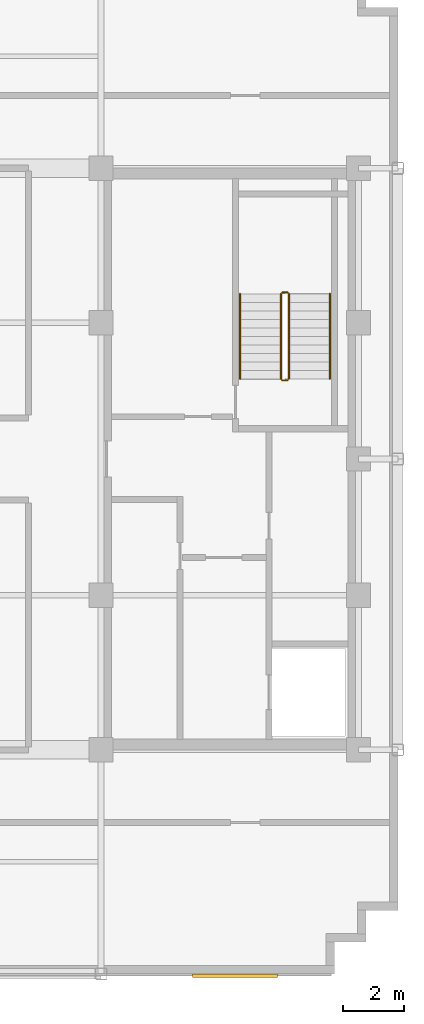
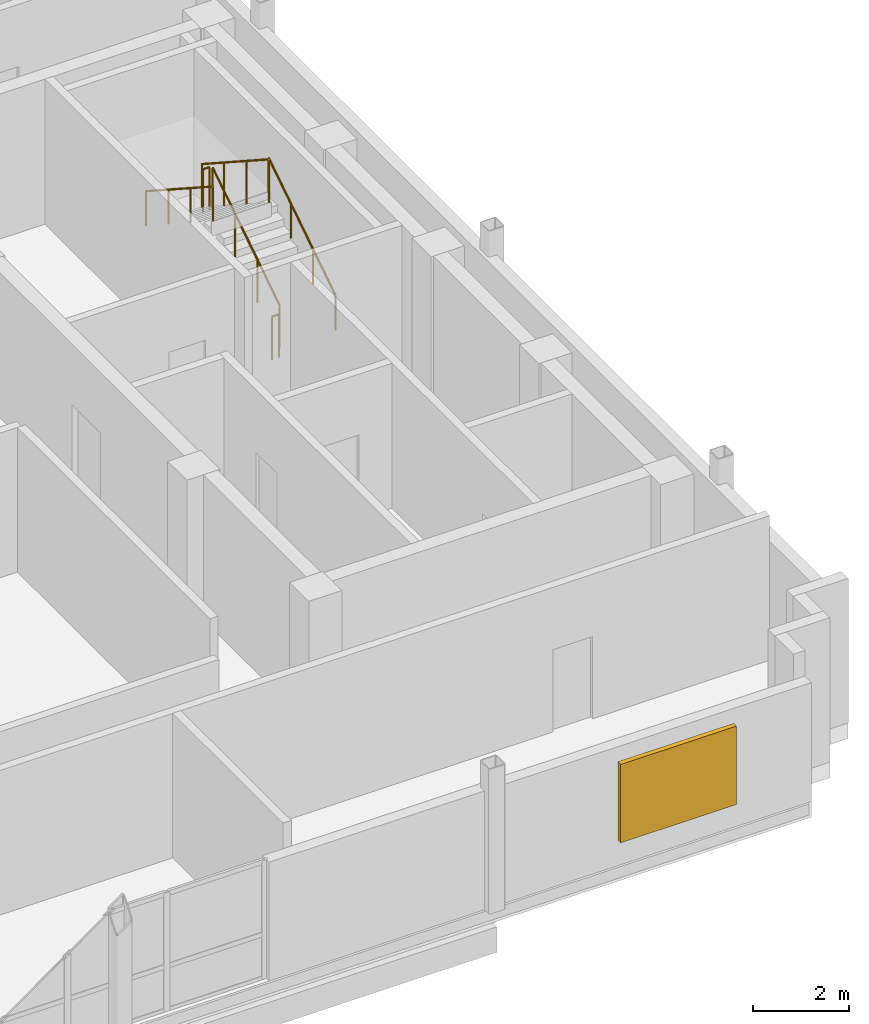
# One storey, part 8 of 9: 6 railings, 1 shading device.
"""IFC4 building model written with IfcOpenShell, lengths in metres."""

from ifc_helpers import new_model, si_unit, direction, frame, origin, origin_2d, place, context, subcontext, project, spatial, rectangle, circle, extrude, source, transform, mapped, material, type_object, type_shapes, element, save


model = new_model("IFC4")

# Units and contexts
model_context = context("Model", 3, precision=1e-05, world=origin(), true_north=direction((0.0, 1.0)))
body_context = subcontext(model_context, "Body", "Model", "MODEL_VIEW")
ifc_project = project(units=[si_unit("LENGTHUNIT", "METRE"), si_unit("AREAUNIT", "SQUARE_METRE"), si_unit("VOLUMEUNIT", "CUBIC_METRE"), si_unit("PLANEANGLEUNIT", "RADIAN"), si_unit("MASSUNIT", "GRAM", prefix="KILO")], contexts=[model_context])

# Site, building, storey
site_placement = place(None, origin())
site = spatial("IfcSite", under=ifc_project, at=site_placement, CompositionType="ELEMENT")
building_placement = place(site_placement, origin())
building = spatial("IfcBuilding", under=site, at=building_placement, Name="Nuvemarco Arch Tower", CompositionType="ELEMENT")
storey_placement = place(building_placement, frame((0.0, 0.0, 287.14990234375)))
storey = spatial("IfcBuildingStorey", under=building, at=storey_placement, Name="L76", CompositionType="ELEMENT", Elevation=287.14990234375)

# Railings
ifc_material_1 = material(Name="Brushed stainless steel handrail", Category="steel")
railing_type_1 = type_object("IfcRailingType", Name="RL-HANDRAIL-900", PredefinedType="HANDRAIL", material=ifc_material_1)
railing_1_placement = place(storey_placement, frame((16.550048828125, 2.64990234375, 0.181884765625)))
element("IfcRailing", 1, at=railing_1_placement, inside=storey, type_object=railing_type_1, Name="L76 ST-2 stair handrail 1", PredefinedType="HANDRAIL", context=body_context, shape_type="SweptSolid", body=[
    extrude(circle(Radius=0.02392578125, at=origin_2d()), frame((0.0, 0.0, 0.8759765625), z_axis=(0.0, 0.838705829183, 0.544584733623), x_axis=(-1.0, 0.0, 0.0)), (0.0, 0.0, 1.0), 3.338623046875),
    extrude(circle(Radius=0.02099609375, at=origin_2d()), origin(), (0.0, 0.0, 1.0), 0.851806640625),
    extrude(circle(Radius=0.02099609375, at=origin_2d()), frame((0.0, 0.933349609375, 0.60595703125)), (0.0, 0.0, 1.0), 0.851806640625),
    extrude(circle(Radius=0.02099609375, at=origin_2d()), frame((0.0, 1.86669921875, 1.212158203125)), (0.0, 0.0, 1.0), 0.851806640625),
    extrude(circle(Radius=0.02099609375, at=origin_2d()), frame((0.0, 2.800048828125, 1.818115234375)), (0.0, 0.0, 1.0), 0.851806640625),
])
railing_2_placement = place(storey_placement, frame((13.590087890625, 5.449951171875, 2.181884765625)))
element("IfcRailing", 2, at=railing_2_placement, inside=storey, type_object=railing_type_1, Name="L76 ST-2 stair handrail 2", PredefinedType="HANDRAIL", context=body_context, shape_type="SweptSolid", body=[
    extrude(circle(Radius=0.02392578125, at=origin_2d()), frame((0.0, 0.0, 0.8759765625), z_axis=(0.0, -0.838705829183, 0.544584733623), x_axis=(1.0, 0.0, 0.0)), (0.0, 0.0, 1.0), 3.338623046875),
    extrude(circle(Radius=0.02099609375, at=origin_2d()), origin(), (0.0, 0.0, 1.0), 0.851806640625),
    extrude(circle(Radius=0.02099609375, at=origin_2d()), frame((0.0, -0.933349609375, 0.60595703125)), (0.0, 0.0, 1.0), 0.851806640625),
    extrude(circle(Radius=0.02099609375, at=origin_2d()), frame((0.0, -1.86669921875, 1.212158203125)), (0.0, 0.0, 1.0), 0.851806640625),
    extrude(circle(Radius=0.02099609375, at=origin_2d()), frame((0.0, -2.800048828125, 1.818115234375)), (0.0, 0.0, 1.0), 0.851806640625),
])
ifc_material_2 = material(Name="Painted balustrade steel S355", Category="steel")
railing_type_2 = type_object("IfcRailingType", Name="RL-STAIR-GUARD", PredefinedType="GUARDRAIL", material=ifc_material_2)
railing_3_placement = place(storey_placement, frame((15.199951171875, 2.64990234375, 0.181884765625)))
element("IfcRailing", 3, at=railing_3_placement, inside=storey, type_object=railing_type_2, Name="L76 ST-2 stair guard 1", PredefinedType="GUARDRAIL", context=body_context, shape_type="SweptSolid", body=[
    extrude(circle(Radius=0.02392578125, at=origin_2d()), frame((0.0, 0.0, 1.09619140625), z_axis=(0.0, 0.838705829183, 0.544584733623), x_axis=(-1.0, 0.0, 0.0)), (0.0, 0.0, 1.0), 3.338623046875),
    extrude(circle(Radius=0.02099609375, at=origin_2d()), origin(), (0.0, 0.0, 1.0), 1.072021484375),
    extrude(circle(Radius=0.02099609375, at=origin_2d()), frame((0.0, 0.933349609375, 0.60595703125)), (0.0, 0.0, 1.0), 1.072021484375),
    extrude(circle(Radius=0.02099609375, at=origin_2d()), frame((0.0, 1.86669921875, 1.212158203125)), (0.0, 0.0, 1.0), 1.072021484375),
    extrude(circle(Radius=0.02099609375, at=origin_2d()), frame((0.0, 2.800048828125, 1.818115234375)), (0.0, 0.0, 1.0), 1.072021484375),
])
railing_4_placement = place(storey_placement, frame((15.14990234375, 5.5, 2.0)))
element("IfcRailing", 4, at=railing_4_placement, inside=storey, type_object=railing_type_2, Name="L76 ST-2 stair guard 2", PredefinedType="GUARDRAIL", context=body_context, shape_type="SweptSolid", body=[
    extrude(circle(Radius=0.02392578125, at=origin_2d()), frame((0.0, 0.0, 1.09619140625), z_axis=(-1.0, 0.0, 0.0), x_axis=(0.0, -1.0, 0.0)), (0.0, 0.0, 1.0), 0.159912109375),
    extrude(circle(Radius=0.02099609375, at=origin_2d()), origin(), (0.0, 0.0, 1.0), 1.072021484375),
    extrude(circle(Radius=0.02099609375, at=origin_2d()), frame((-0.159912109375, 0.0, 0.0)), (0.0, 0.0, 1.0), 1.072021484375),
])
railing_5_placement = place(storey_placement, frame((14.93994140625, 5.449951171875, 2.181884765625)))
element("IfcRailing", 5, at=railing_5_placement, inside=storey, type_object=railing_type_2, Name="L76 ST-2 stair guard 3", PredefinedType="GUARDRAIL", context=body_context, shape_type="SweptSolid", body=[
    extrude(circle(Radius=0.02392578125, at=origin_2d()), frame((0.0, 0.0, 1.09619140625), z_axis=(0.0, -0.838705829183, 0.544584733623), x_axis=(1.0, 0.0, 0.0)), (0.0, 0.0, 1.0), 3.338623046875),
    extrude(circle(Radius=0.02099609375, at=origin_2d()), origin(), (0.0, 0.0, 1.0), 1.072021484375),
    extrude(circle(Radius=0.02099609375, at=origin_2d()), frame((0.0, -0.933349609375, 0.60595703125)), (0.0, 0.0, 1.0), 1.072021484375),
    extrude(circle(Radius=0.02099609375, at=origin_2d()), frame((0.0, -1.86669921875, 1.212158203125)), (0.0, 0.0, 1.0), 1.072021484375),
    extrude(circle(Radius=0.02099609375, at=origin_2d()), frame((0.0, -2.800048828125, 1.818115234375)), (0.0, 0.0, 1.0), 1.072021484375),
])
railing_6_placement = place(storey_placement, frame((15.14990234375, 2.60009765625, 0.0)))
element("IfcRailing", 6, at=railing_6_placement, inside=storey, type_object=railing_type_2, Name="L76 ST-2 stair guard 4", PredefinedType="GUARDRAIL", context=body_context, shape_type="SweptSolid", body=[
    extrude(circle(Radius=0.02392578125, at=origin_2d()), frame((0.0, 0.0, 1.09619140625), z_axis=(-1.0, 0.0, 0.0), x_axis=(0.0, -1.0, 0.0)), (0.0, 0.0, 1.0), 0.159912109375),
    extrude(circle(Radius=0.02099609375, at=origin_2d()), origin(), (0.0, 0.0, 1.0), 1.072021484375),
    extrude(circle(Radius=0.02099609375, at=origin_2d()), frame((-0.159912109375, 0.0, 0.0)), (0.0, 0.0, 1.0), 1.072021484375),
])

# Shading device
ifc_material_3 = material(Name="Anodised aluminium 6063-T6", Category="aluminium")
shading_device_type = type_object("IfcShadingDeviceType", Name="SHD-LOUVRE-PLANT", PredefinedType="JALOUSIE", material=ifc_material_3)
shared_shape = source(origin(), body_context, "Body", "SweptSolid", [
    extrude(rectangle(XDim=2.800048828125, YDim=0.1201171875, at=origin_2d()), origin(), (0.0, 0.0, 1.0), 2.0),
])
type_shapes(shading_device_type, [shared_shape])
shading_device_placement = place(storey_placement, frame((13.425048828125, -17.054931640625, 0.650146484375), z_axis=(0.0, 0.0, 1.0), x_axis=(1.0, 0.0, 0.0)))
element("IfcShadingDevice", 7, at=shading_device_placement, inside=storey, type_object=shading_device_type, Name="L76 acoustic plant louvre panel 2", PredefinedType="JALOUSIE", context=body_context, shape_type="MappedRepresentation", body=[
    mapped(shared_shape, transform((0.0, 0.0, 0.0), scale=1.0)),
])

save(model, "model.ifc")
